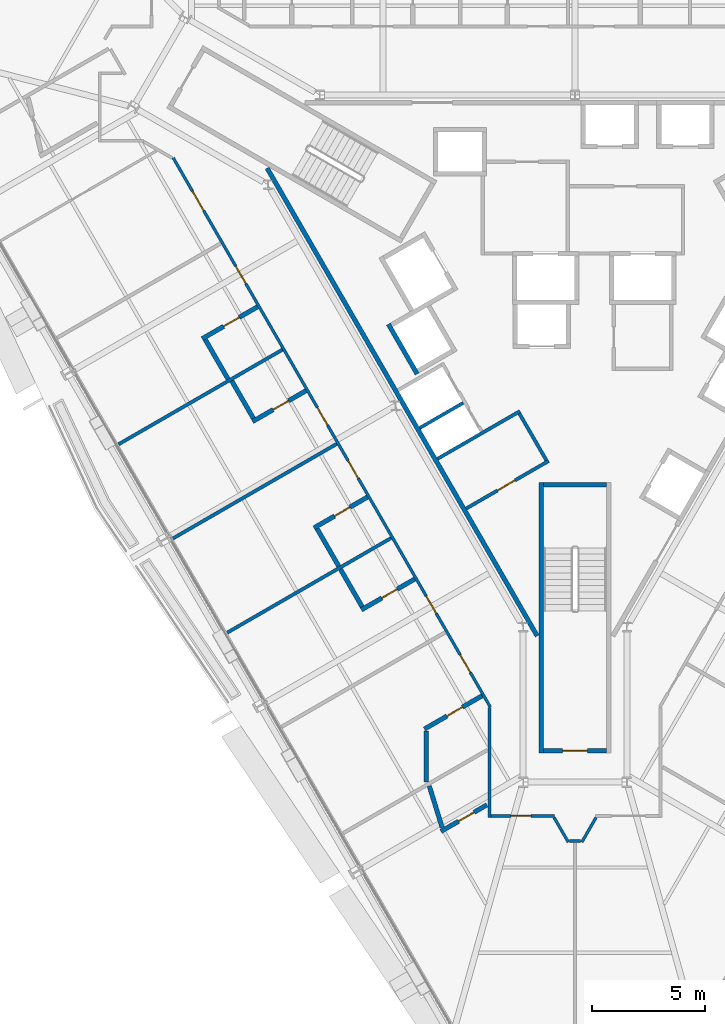
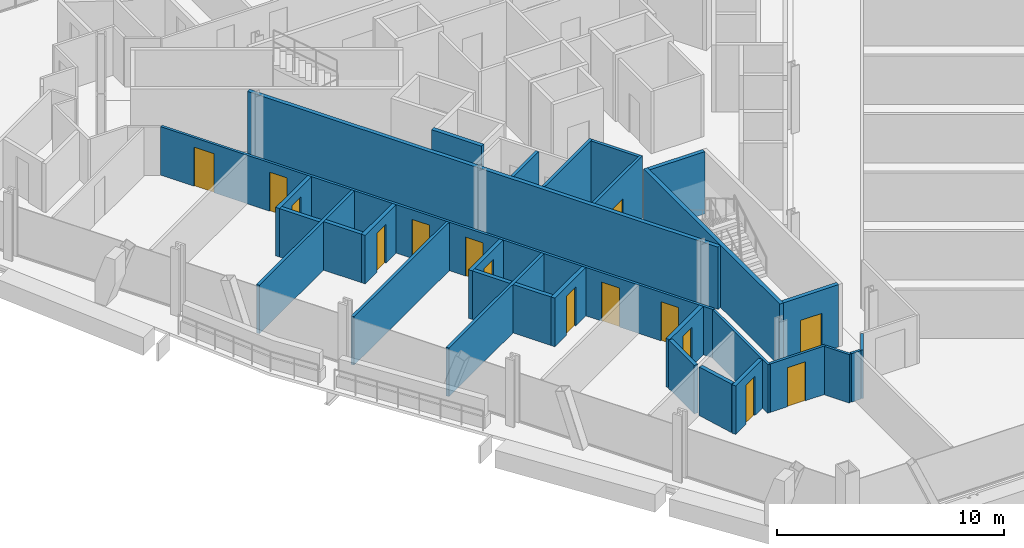
# One storey, part 11 of 17: 30 walls, 15 doors, 15 openings.
"""IFC4 building model written with IfcOpenShell, lengths in metres."""

from ifc_helpers import new_model, si_unit, direction, frame, frame_2d, origin, place, context, subcontext, project, spatial, rectangle, extrude, material, layer, layer_set, type_object, element, fill, save


model = new_model("IFC4")

# Units and contexts
model_context = context("Model", 3, precision=1e-05, world=origin(), true_north=direction((0.0, 1.0)))
body_context = subcontext(model_context, "Body", "Model", "MODEL_VIEW")
ifc_project = project(units=[si_unit("LENGTHUNIT", "METRE"), si_unit("AREAUNIT", "SQUARE_METRE"), si_unit("VOLUMEUNIT", "CUBIC_METRE"), si_unit("PLANEANGLEUNIT", "RADIAN"), si_unit("MASSUNIT", "GRAM", prefix="KILO")], contexts=[model_context])

# Site, building, storey
site_placement = place(None, origin())
site = spatial("IfcSite", under=ifc_project, at=site_placement, CompositionType="ELEMENT")
building_placement = place(site_placement, origin())
building = spatial("IfcBuilding", under=site, at=building_placement, Name="Verrane Prism Tower", CompositionType="ELEMENT")
storey_placement = place(building_placement, frame((0.0, 0.0, 51.199951171875)))
storey = spatial("IfcBuildingStorey", under=building, at=storey_placement, Name="L10", CompositionType="ELEMENT", Elevation=51.199951171875)

# Wall
ifc_material_1 = material(Name="Gypsum board partition", Category="other")
ifc_layer_1 = layer(ifc_material_1, 0.199951171875)
ifc_layer_set_1 = layer_set([ifc_layer_1], Name="CW-200 core boundary wall 2 h")
wall_type_1 = type_object("IfcWallType", Name="CW-200 core boundary wall 2 h", PredefinedType="PARTITIONING", material=ifc_layer_set_1)
wall_1_placement = place(storey_placement, frame((-13.66357421875, 5.946044921875, 0.0), z_axis=(0.0, 0.0, 1.0), x_axis=(0.499994327219, -0.866028678941, 0.0)))
element("IfcWall", 1, at=wall_1_placement, inside=storey, type_object=wall_type_1, Name="Core boundary wall CW3-001", PredefinedType="PARTITIONING", context=body_context, shape_type="SweptSolid", body=[
    extrude(rectangle(XDim=23.967529296875, YDim=0.199951171875, at=frame_2d((11.98388671875, 0.0))), origin(), (0.0, 0.0, 1.0), 3.35009765625),
])

# Wall, opening, door
ifc_material_2 = material(Name="Concrete C40/50", Category="concrete")
ifc_layer_2 = layer(ifc_material_2, 0.199951171875)
ifc_layer_set_2 = layer_set([ifc_layer_2], Name="CW-200 stair core wall concrete C40/50 3 h")
wall_type_2 = type_object("IfcWallType", Name="CW-200 stair core wall concrete C40/50 3 h", PredefinedType="PARTITIONING", material=ifc_layer_set_2)
wall_2_placement = place(storey_placement, frame((-1.39990234375, -19.89990234375, 0.0), z_axis=(0.0, 0.0, 1.0), x_axis=(1.0, 0.0, 0.0)))
wall_2 = element("IfcWall", 2, at=wall_2_placement, inside=storey, type_object=wall_type_2, Name="Stair 3 enclosure wall", PredefinedType="PARTITIONING", context=body_context, shape_type="SweptSolid", body=[
    extrude(rectangle(XDim=2.7998046875, YDim=0.199951171875, at=frame_2d((1.39990234375, 0.0))), origin(), (0.0, 0.0, 1.0), 3.35009765625),
])
opening_1_placement = place(wall_2_placement, frame((0.85009765625, 0.0, 0.0)))
opening_1 = element("IfcOpeningElement", 3, at=opening_1_placement, cuts=wall_2, Name="Opening D09502", PredefinedType="OPENING", context=body_context, shape_type="SweptSolid", body=[
    extrude(rectangle(XDim=1.10009765625, YDim=2.10009765625, at=frame_2d((0.550048828125, 1.050048828125))), frame((0.0, 0.10986328125, 0.0), z_axis=(0.0, -1.0, 0.0), x_axis=(1.0, 0.0, 0.0)), (0.0, 0.0, 1.0), 0.219970703125),
])
ifc_material_3 = material(Name="Timber veneered door leaf", Category="wood")
door_type_1 = type_object("IfcDoorType", Name="DR-1100x2100 FD90 single leaf stair", OperationType="NOTDEFINED", PredefinedType="DOOR", material=ifc_material_3)
door_1_placement = place(opening_1_placement, origin())
door_1 = element("IfcDoor", 4, at=door_1_placement, inside=storey, type_object=door_type_1, Name="Stair 3 door", OperationType="SINGLE_SWING_LEFT", OverallHeight=2.10009765625, OverallWidth=1.10009765625, PredefinedType="DOOR", context=body_context, shape_type="SweptSolid", body=[
    extrude(rectangle(XDim=1.10009765625, YDim=2.10009765625, at=frame_2d((0.550048828125, 1.050048828125))), frame((0.0, 0.02490234375, 0.0), z_axis=(0.0, -1.0, 0.0), x_axis=(1.0, 0.0, 0.0)), (0.0, 0.0, 1.0), 0.050048828125),
])
fill(opening_1, door_1)

# Walls
wall_3_placement = place(storey_placement, frame((-1.5, -8.0, 0.0), z_axis=(0.0, 0.0, 1.0), x_axis=(0.0, -1.0, 0.0)))
element("IfcWall", 5, at=wall_3_placement, inside=storey, type_object=wall_type_2, Name="Stair 3 enclosure wall", PredefinedType="PARTITIONING", context=body_context, shape_type="SweptSolid", body=[
    extrude(rectangle(XDim=12.0, YDim=0.199951171875, at=frame_2d((6.0, 0.0))), origin(), (0.0, 0.0, 1.0), 3.35009765625),
])
wall_4_placement = place(storey_placement, frame((-1.39990234375, -8.10009765625, 0.0), z_axis=(0.0, 0.0, 1.0), x_axis=(1.0, 0.0, 0.0)))
element("IfcWall", 6, at=wall_4_placement, inside=storey, type_object=wall_type_2, Name="Stair 3 enclosure wall", PredefinedType="PARTITIONING", context=body_context, shape_type="SweptSolid", body=[
    extrude(rectangle(XDim=2.7998046875, YDim=0.199951171875, at=frame_2d((1.39990234375, 0.0))), origin(), (0.0, 0.0, 1.0), 3.35009765625),
])
ifc_material_4 = material(Name="Gypsum board shaft wall assembly", Category="other")
ifc_layer_3 = layer(ifc_material_4, 0.199951171875)
ifc_layer_set_3 = layer_set([ifc_layer_3], Name="HW-200 lift shaft wall 2 h")
wall_type_3 = type_object("IfcWallType", Name="HW-200 lift shaft wall 2 h", PredefinedType="PARTITIONING", material=ifc_layer_set_3)
wall_5_placement = place(storey_placement, frame((-7.00634765625, -3.184814453125, 0.0), z_axis=(0.0, 0.0, 1.0), x_axis=(-0.499990435942, 0.866030925526, 0.0)))
element("IfcWall", 7, at=wall_5_placement, inside=storey, type_object=wall_type_3, Name="Lift shaft wall", PredefinedType="PARTITIONING", context=body_context, shape_type="SweptSolid", body=[
    extrude(rectangle(XDim=2.5498046875, YDim=0.199951171875, at=frame_2d((1.27490234375, 0.0))), origin(), (0.0, 0.0, 1.0), 3.60009765625),
])

# Wall, openings, doors
ifc_material_5 = material(Name="Gypsum board partition", Category="other")
ifc_layer_4 = layer(ifc_material_5, 0.125)
ifc_layer_set_4 = layer_set([ifc_layer_4], Name="PW-125 corridor wall 1 h")
wall_type_4 = type_object("IfcWallType", Name="PW-125 corridor wall 1 h", PredefinedType="PARTITIONING", material=ifc_layer_set_4)
wall_6_placement = place(storey_placement, frame((-3.765869140625, -17.959228515625, 0.0), z_axis=(0.0, 0.0, 1.0), x_axis=(-0.500002884005, 0.866023738697, 0.0)))
wall_6 = element("IfcWall", 8, at=wall_6_placement, inside=storey, type_object=wall_type_4, Name="Corridor wall 016", PredefinedType="PARTITIONING", context=body_context, shape_type="SweptSolid", body=[
    extrude(rectangle(XDim=28.134521484375, YDim=0.125, at=frame_2d((14.0673828125, 0.0))), origin(), (0.0, 0.0, 1.0), 2.613037109375),
])
opening_2_placement = place(wall_6_placement, frame((25.422119140625, 0.0, 0.0)))
opening_2 = element("IfcOpeningElement", 9, at=opening_2_placement, cuts=wall_6, Name="Opening D09026", PredefinedType="OPENING", context=body_context, shape_type="SweptSolid", body=[
    extrude(rectangle(XDim=1.0, YDim=2.10009765625, at=frame_2d((0.5, 1.050048828125))), frame((0.0, 0.072509765625, 0.0), z_axis=(0.0, -1.0, 0.0), x_axis=(1.0, 0.0, 0.0)), (0.0, 0.0, 1.0), 0.14501953125),
])
opening_3_placement = place(wall_6_placement, frame((21.693115234375, 0.0, 0.0)))
opening_3 = element("IfcOpeningElement", 10, at=opening_3_placement, cuts=wall_6, Name="Opening D09029", PredefinedType="OPENING", context=body_context, shape_type="SweptSolid", body=[
    extrude(rectangle(XDim=0.89990234375, YDim=2.10009765625, at=frame_2d((0.449951171875, 1.050048828125))), frame((0.0, 0.072509765625, 0.0), z_axis=(0.0, -1.0, 0.0), x_axis=(1.0, 0.0, 0.0)), (0.0, 0.0, 1.0), 0.14501953125),
])
opening_4_placement = place(wall_6_placement, frame((14.438232421875, 0.0, 0.0)))
opening_4 = element("IfcOpeningElement", 11, at=opening_4_placement, cuts=wall_6, Name="Opening D09031", PredefinedType="OPENING", context=body_context, shape_type="SweptSolid", body=[
    extrude(rectangle(XDim=0.89990234375, YDim=2.10009765625, at=frame_2d((0.449951171875, 1.050048828125))), frame((0.0, 0.072509765625, 0.0), z_axis=(0.0, -1.0, 0.0), x_axis=(1.0, 0.0, 0.0)), (0.0, 0.0, 1.0), 0.14501953125),
])
opening_5_placement = place(wall_6_placement, frame((11.712158203125, 0.0, 0.0)))
opening_5 = element("IfcOpeningElement", 12, at=opening_5_placement, cuts=wall_6, Name="Opening D09033", PredefinedType="OPENING", context=body_context, shape_type="SweptSolid", body=[
    extrude(rectangle(XDim=0.89990234375, YDim=2.10009765625, at=frame_2d((0.449951171875, 1.050048828125))), frame((0.0, 0.072509765625, 0.0), z_axis=(0.0, -1.0, 0.0), x_axis=(1.0, 0.0, 0.0)), (0.0, 0.0, 1.0), 0.14501953125),
])
opening_6_placement = place(wall_6_placement, frame((4.787109375, 0.0, 0.0)))
opening_6 = element("IfcOpeningElement", 13, at=opening_6_placement, cuts=wall_6, Name="Opening D09035", PredefinedType="OPENING", context=body_context, shape_type="SweptSolid", body=[
    extrude(rectangle(XDim=0.89990234375, YDim=2.10009765625, at=frame_2d((0.449951171875, 1.050048828125))), frame((0.0, 0.072509765625, 0.0), z_axis=(0.0, -1.0, 0.0), x_axis=(1.0, 0.0, 0.0)), (0.0, 0.0, 1.0), 0.14501953125),
])
opening_7_placement = place(wall_6_placement, frame((1.76220703125, 0.0, 0.0)))
opening_7 = element("IfcOpeningElement", 14, at=opening_7_placement, cuts=wall_6, Name="Opening D09037", PredefinedType="OPENING", context=body_context, shape_type="SweptSolid", body=[
    extrude(rectangle(XDim=0.89990234375, YDim=2.10009765625, at=frame_2d((0.449951171875, 1.050048828125))), frame((0.0, 0.072509765625, 0.0), z_axis=(0.0, -1.0, 0.0), x_axis=(1.0, 0.0, 0.0)), (0.0, 0.0, 1.0), 0.14501953125),
])
ifc_material_6 = material(Name="Timber veneered door leaf", Category="wood")
door_type_2 = type_object("IfcDoorType", Name="DR-1000x2100 FD20 single leaf unit", OperationType="NOTDEFINED", PredefinedType="DOOR", material=ifc_material_6)
door_2_placement = place(opening_2_placement, origin())
door_2 = element("IfcDoor", 15, at=door_2_placement, inside=storey, type_object=door_type_2, Name="Suite Living Room door", OperationType="SINGLE_SWING_LEFT", OverallHeight=2.10009765625, OverallWidth=1.0, PredefinedType="DOOR", context=body_context, shape_type="SweptSolid", body=[
    extrude(rectangle(XDim=1.0, YDim=2.10009765625, at=frame_2d((0.5, 1.050048828125))), frame((0.0, 0.02490234375, 0.0), z_axis=(0.0, -1.0, 0.0), x_axis=(1.0, 0.0, 0.0)), (0.0, 0.0, 1.0), 0.050048828125),
])
fill(opening_2, door_2)
ifc_material_7 = material(Name="Timber veneered door leaf", Category="wood")
door_type_3 = type_object("IfcDoorType", Name="DR-900x2100 FD20 single leaf unit", OperationType="NOTDEFINED", PredefinedType="DOOR", material=ifc_material_7)
door_3_placement = place(opening_3_placement, origin())
door_3 = element("IfcDoor", 16, at=door_3_placement, inside=storey, type_object=door_type_3, Name="Guest Room door", OperationType="SINGLE_SWING_RIGHT", OverallHeight=2.10009765625, OverallWidth=0.89990234375, PredefinedType="DOOR", context=body_context, shape_type="SweptSolid", body=[
    extrude(rectangle(XDim=0.89990234375, YDim=2.10009765625, at=frame_2d((0.449951171875, 1.050048828125))), frame((0.0, 0.02490234375, 0.0), z_axis=(0.0, -1.0, 0.0), x_axis=(1.0, 0.0, 0.0)), (0.0, 0.0, 1.0), 0.050048828125),
])
fill(opening_3, door_3)
door_4_placement = place(opening_4_placement, origin())
door_4 = element("IfcDoor", 17, at=door_4_placement, inside=storey, type_object=door_type_3, Name="Guest Room door", OperationType="SINGLE_SWING_RIGHT", OverallHeight=2.10009765625, OverallWidth=0.89990234375, PredefinedType="DOOR", context=body_context, shape_type="SweptSolid", body=[
    extrude(rectangle(XDim=0.89990234375, YDim=2.10009765625, at=frame_2d((0.449951171875, 1.050048828125))), frame((0.0, 0.02490234375, 0.0), z_axis=(0.0, -1.0, 0.0), x_axis=(1.0, 0.0, 0.0)), (0.0, 0.0, 1.0), 0.050048828125),
])
fill(opening_4, door_4)
door_5_placement = place(opening_5_placement, origin())
door_5 = element("IfcDoor", 18, at=door_5_placement, inside=storey, type_object=door_type_3, Name="Guest Room door", OperationType="SINGLE_SWING_RIGHT", OverallHeight=2.10009765625, OverallWidth=0.89990234375, PredefinedType="DOOR", context=body_context, shape_type="SweptSolid", body=[
    extrude(rectangle(XDim=0.89990234375, YDim=2.10009765625, at=frame_2d((0.449951171875, 1.050048828125))), frame((0.0, 0.02490234375, 0.0), z_axis=(0.0, -1.0, 0.0), x_axis=(1.0, 0.0, 0.0)), (0.0, 0.0, 1.0), 0.050048828125),
])
fill(opening_5, door_5)
door_6_placement = place(opening_6_placement, origin())
door_6 = element("IfcDoor", 19, at=door_6_placement, inside=storey, type_object=door_type_3, Name="Guest Room door", OperationType="SINGLE_SWING_RIGHT", OverallHeight=2.10009765625, OverallWidth=0.89990234375, PredefinedType="DOOR", context=body_context, shape_type="SweptSolid", body=[
    extrude(rectangle(XDim=0.89990234375, YDim=2.10009765625, at=frame_2d((0.449951171875, 1.050048828125))), frame((0.0, 0.02490234375, 0.0), z_axis=(0.0, -1.0, 0.0), x_axis=(1.0, 0.0, 0.0)), (0.0, 0.0, 1.0), 0.050048828125),
])
fill(opening_6, door_6)
door_7_placement = place(opening_7_placement, origin())
door_7 = element("IfcDoor", 20, at=door_7_placement, inside=storey, type_object=door_type_3, Name="Guest Room door", OperationType="SINGLE_SWING_RIGHT", OverallHeight=2.10009765625, OverallWidth=0.89990234375, PredefinedType="DOOR", context=body_context, shape_type="SweptSolid", body=[
    extrude(rectangle(XDim=0.89990234375, YDim=2.10009765625, at=frame_2d((0.449951171875, 1.050048828125))), frame((0.0, 0.02490234375, 0.0), z_axis=(0.0, -1.0, 0.0), x_axis=(1.0, 0.0, 0.0)), (0.0, 0.0, 1.0), 0.050048828125),
])
fill(opening_7, door_7)

# Wall
wall_7_placement = place(storey_placement, frame((-3.797119140625, -22.859619140625, 0.0), z_axis=(0.0, 0.0, 1.0), x_axis=(0.0, 1.0, 0.0)))
element("IfcWall", 21, at=wall_7_placement, inside=storey, type_object=wall_type_4, Name="Corridor wall 046", PredefinedType="PARTITIONING", context=body_context, shape_type="SweptSolid", body=[
    extrude(rectangle(XDim=4.86962890625, YDim=0.125, at=frame_2d((2.434814453125, 0.0))), origin(), (0.0, 0.0, 1.0), 2.613037109375),
])

# Wall, opening, door
wall_8_placement = place(storey_placement, frame((-0.910400390625, -22.797119140625, 0.0), z_axis=(0.0, 0.0, 1.0), x_axis=(-1.0, 0.0, 0.0)))
wall_8 = element("IfcWall", 22, at=wall_8_placement, inside=storey, type_object=wall_type_4, Name="Corridor wall 047", PredefinedType="PARTITIONING", context=body_context, shape_type="SweptSolid", body=[
    extrude(rectangle(XDim=2.821533203125, YDim=0.125, at=frame_2d((1.41064453125, 0.0))), origin(), (0.0, 0.0, 1.0), 2.613037109375),
])
opening_8_placement = place(wall_8_placement, frame((1.03662109375, 0.0, 0.0)))
opening_8 = element("IfcOpeningElement", 23, at=opening_8_placement, cuts=wall_8, Name="Opening D09039", PredefinedType="OPENING", context=body_context, shape_type="SweptSolid", body=[
    extrude(rectangle(XDim=0.89990234375, YDim=2.10009765625, at=frame_2d((0.449951171875, 1.050048828125))), frame((0.0, 0.072509765625, 0.0), z_axis=(0.0, -1.0, 0.0), x_axis=(1.0, 0.0, 0.0)), (0.0, 0.0, 1.0), 0.14501953125),
])
door_8_placement = place(opening_8_placement, origin())
door_8 = element("IfcDoor", 24, at=door_8_placement, inside=storey, type_object=door_type_3, Name="Corner Suite door", OperationType="SINGLE_SWING_RIGHT", OverallHeight=2.10009765625, OverallWidth=0.89990234375, PredefinedType="DOOR", context=body_context, shape_type="SweptSolid", body=[
    extrude(rectangle(XDim=0.89990234375, YDim=2.10009765625, at=frame_2d((0.449951171875, 1.050048828125))), frame((0.0, 0.02490234375, 0.0), z_axis=(0.0, -1.0, 0.0), x_axis=(1.0, 0.0, 0.0)), (0.0, 0.0, 1.0), 0.050048828125),
])
fill(opening_8, door_8)

# Walls
wall_9_placement = place(storey_placement, frame((-0.930419921875, -22.87060546875, 0.0), z_axis=(0.0, 0.0, 1.0), x_axis=(0.500242104966, -0.865885579288, 0.0)))
element("IfcWall", 25, at=wall_9_placement, inside=storey, type_object=wall_type_4, Name="Corridor wall 049", PredefinedType="PARTITIONING", context=body_context, shape_type="SweptSolid", body=[
    extrude(rectangle(XDim=1.260498046875, YDim=0.125, at=frame_2d((0.63037109375, 0.0))), origin(), (0.0, 0.0, 1.0), 2.613037109375),
])
wall_10_placement = place(storey_placement, frame((-0.24609375, -23.907958984375, 0.0), z_axis=(0.0, 0.0, 1.0), x_axis=(1.0, 0.0, 0.0)))
element("IfcWall", 26, at=wall_10_placement, inside=storey, type_object=wall_type_4, Name="Corridor wall 050", PredefinedType="PARTITIONING", context=body_context, shape_type="SweptSolid", body=[
    extrude(rectangle(XDim=0.4921875, YDim=0.125, at=frame_2d((0.24609375, 0.0))), origin(), (0.0, 0.0, 1.0), 2.613037109375),
])
wall_11_placement = place(storey_placement, frame((0.2998046875, -23.962158203125, 0.0), z_axis=(0.0, 0.0, 1.0), x_axis=(0.500242104966, 0.865885579288, 0.0)))
element("IfcWall", 27, at=wall_11_placement, inside=storey, type_object=wall_type_4, Name="Corridor wall 053", PredefinedType="PARTITIONING", context=body_context, shape_type="SweptSolid", body=[
    extrude(rectangle(XDim=1.260498046875, YDim=0.125, at=frame_2d((0.63037109375, 0.0))), origin(), (0.0, 0.0, 1.0), 2.613037109375),
])
ifc_material_8 = material(Name="Gypsum board partition", Category="other")
ifc_layer_5 = layer(ifc_material_8, 0.14990234375)
ifc_layer_set_5 = layer_set([ifc_layer_5], Name="PW-150 demising wall 1 h")
wall_type_5 = type_object("IfcWallType", Name="PW-150 demising wall 1 h", PredefinedType="PARTITIONING", material=ifc_layer_set_5)
for number, where, z_axis, x_axis, name in (
    (28, (-20.25634765625, -6.3046875, 0.0), (0.0, 0.0, 1.0), (0.866037818403, 0.499978496633, 0.0), "Demising wall 012"),
    (29, (-17.843505859375, -10.48388671875, 0.0), (0.0, 0.0, 1.0), (0.866037818403, 0.499978496633, 0.0), "Demising wall 017"),
):
    element("IfcWall", number, at=place(storey_placement, frame(where, z_axis=z_axis, x_axis=x_axis)), inside=storey, type_object=wall_type_5, Name=name, PredefinedType="PARTITIONING", context=body_context, shape_type="SweptSolid", body=[
        extrude(rectangle(XDim=8.391357421875, YDim=0.14990234375, at=frame_2d((4.19580078125, 0.0))), origin(), (0.0, 0.0, 1.0), 2.613037109375),
    ])
wall_12_placement = place(storey_placement, frame((-15.4306640625, -14.6630859375, 0.0), z_axis=(0.0, 0.0, 1.0), x_axis=(0.866027553047, 0.499996277349, 0.0)))
element("IfcWall", 30, at=wall_12_placement, inside=storey, type_object=wall_type_5, Name="Demising wall 024", PredefinedType="PARTITIONING", context=body_context, shape_type="SweptSolid", body=[
    extrude(rectangle(XDim=8.38671875, YDim=0.14990234375, at=frame_2d((4.193359375, 0.0))), origin(), (0.0, 0.0, 1.0), 2.613037109375),
])
ifc_material_9 = material(Name="Gypsum board partition", Category="other")
ifc_layer_6 = layer(ifc_material_9, 0.199951171875)
ifc_layer_set_6 = layer_set([ifc_layer_6], Name="PW-200 plumbing wall")
wall_type_6 = type_object("IfcWallType", Name="PW-200 plumbing wall", PredefinedType="PARTITIONING", material=ifc_layer_set_6)
wall_13_placement = place(storey_placement, frame((-16.409912109375, -1.65869140625, 0.0), z_axis=(0.0, 0.0, 1.0), x_axis=(0.49983374806, -0.866121368112, 0.0)))
element("IfcWall", 31, at=wall_13_placement, inside=storey, type_object=wall_type_6, Name="Plumbing wall 020", PredefinedType="PARTITIONING", context=body_context, shape_type="SweptSolid", body=[
    extrude(rectangle(XDim=2.025634765625, YDim=0.199951171875, at=frame_2d((1.0126953125, 0.0))), origin(), (0.0, 0.0, 1.0), 2.613037109375),
])

# Wall, opening, door
wall_14_placement = place(storey_placement, frame((-14.093505859375, -0.205810546875, 0.0), z_axis=(0.0, 0.0, 1.0), x_axis=(-0.866033446572, -0.499986069224, 0.0)))
wall_14 = element("IfcWall", 32, at=wall_14_placement, inside=storey, type_object=wall_type_6, Name="Plumbing wall 021", PredefinedType="PARTITIONING", context=body_context, shape_type="SweptSolid", body=[
    extrude(rectangle(XDim=2.83251953125, YDim=0.199951171875, at=frame_2d((1.416259765625, 0.0))), origin(), (0.0, 0.0, 1.0), 2.613037109375),
])
opening_9_placement = place(wall_14_placement, frame((0.9326171875, 0.0, 0.0)))
opening_9 = element("IfcOpeningElement", 33, at=opening_9_placement, cuts=wall_14, Name="Opening D09030", PredefinedType="OPENING", context=body_context, shape_type="SweptSolid", body=[
    extrude(rectangle(XDim=0.800048828125, YDim=2.10009765625, at=frame_2d((0.39990234375, 1.050048828125))), frame((0.0, 0.10986328125, 0.0), z_axis=(0.0, -1.0, 0.0), x_axis=(1.0, 0.0, 0.0)), (0.0, 0.0, 1.0), 0.219970703125),
])
ifc_material_10 = material(Name="Timber veneered door leaf", Category="wood")
door_type_4 = type_object("IfcDoorType", Name="DR-800x2100 single leaf bath", OperationType="NOTDEFINED", PredefinedType="DOOR", material=ifc_material_10)
door_9_placement = place(opening_9_placement, origin())
door_9 = element("IfcDoor", 34, at=door_9_placement, inside=storey, type_object=door_type_4, Name="En-Suite door", OperationType="SINGLE_SWING_LEFT", OverallHeight=2.10009765625, OverallWidth=0.800048828125, PredefinedType="DOOR", context=body_context, shape_type="SweptSolid", body=[
    extrude(rectangle(XDim=0.800048828125, YDim=2.10009765625, at=frame_2d((0.39990234375, 1.050048828125))), frame((0.0, 0.02490234375, 0.0), z_axis=(0.0, -1.0, 0.0), x_axis=(1.0, 0.0, 0.0)), (0.0, 0.0, 1.0), 0.050048828125),
])
fill(opening_9, door_9)

# Wall
wall_15_placement = place(storey_placement, frame((-15.235595703125, -3.492919921875, 0.0), z_axis=(0.0, 0.0, 1.0), x_axis=(0.500190942922, -0.865915134767, 0.0)))
element("IfcWall", 35, at=wall_15_placement, inside=storey, type_object=wall_type_6, Name="Plumbing wall 025", PredefinedType="PARTITIONING", context=body_context, shape_type="SweptSolid", body=[
    extrude(rectangle(XDim=1.924560546875, YDim=0.199951171875, at=frame_2d((0.96240234375, 0.0))), origin(), (0.0, 0.0, 1.0), 2.613037109375),
])

# Wall, opening, door
wall_16_placement = place(storey_placement, frame((-14.3095703125, -5.2958984375, 0.0), z_axis=(0.0, 0.0, 1.0), x_axis=(0.866012976267, 0.500021524473, 0.0)))
wall_16 = element("IfcWall", 36, at=wall_16_placement, inside=storey, type_object=wall_type_6, Name="Plumbing wall 029", PredefinedType="PARTITIONING", context=body_context, shape_type="SweptSolid", body=[
    extrude(rectangle(XDim=2.732421875, YDim=0.199951171875, at=frame_2d((1.3662109375, 0.0))), origin(), (0.0, 0.0, 1.0), 2.613037109375),
])
opening_10_placement = place(wall_16_placement, frame((1.050048828125, 0.0, 0.0)))
opening_10 = element("IfcOpeningElement", 37, at=opening_10_placement, cuts=wall_16, Name="Opening D09032", PredefinedType="OPENING", context=body_context, shape_type="SweptSolid", body=[
    extrude(rectangle(XDim=0.800048828125, YDim=2.10009765625, at=frame_2d((0.39990234375, 1.050048828125))), frame((0.0, 0.10986328125, 0.0), z_axis=(0.0, -1.0, 0.0), x_axis=(1.0, 0.0, 0.0)), (0.0, 0.0, 1.0), 0.219970703125),
])
door_10_placement = place(opening_10_placement, origin())
door_10 = element("IfcDoor", 38, at=door_10_placement, inside=storey, type_object=door_type_4, Name="En-Suite door", OperationType="SINGLE_SWING_RIGHT", OverallHeight=2.10009765625, OverallWidth=0.800048828125, PredefinedType="DOOR", context=body_context, shape_type="SweptSolid", body=[
    extrude(rectangle(XDim=0.800048828125, YDim=2.10009765625, at=frame_2d((0.39990234375, 1.050048828125))), frame((0.0, 0.02490234375, 0.0), z_axis=(0.0, -1.0, 0.0), x_axis=(1.0, 0.0, 0.0)), (0.0, 0.0, 1.0), 0.050048828125),
])
fill(opening_10, door_10)

# Wall
wall_17_placement = place(storey_placement, frame((-11.447998046875, -10.053466796875, 0.0), z_axis=(0.0, 0.0, 1.0), x_axis=(0.500214044309, -0.865901789971, 0.0)))
element("IfcWall", 39, at=wall_17_placement, inside=storey, type_object=wall_type_6, Name="Plumbing wall 032", PredefinedType="PARTITIONING", context=body_context, shape_type="SweptSolid", body=[
    extrude(rectangle(XDim=1.920166015625, YDim=0.199951171875, at=frame_2d((0.9599609375, 0.0))), origin(), (0.0, 0.0, 1.0), 2.613037109375),
])

# Wall, opening, door
wall_18_placement = place(storey_placement, frame((-9.217529296875, -8.650634765625, 0.0), z_axis=(0.0, 0.0, 1.0), x_axis=(-0.866063622699, -0.499933797055, 0.0)))
wall_18 = element("IfcWall", 40, at=wall_18_placement, inside=storey, type_object=wall_type_6, Name="Plumbing wall 033", PredefinedType="PARTITIONING", context=body_context, shape_type="SweptSolid", body=[
    extrude(rectangle(XDim=2.733154296875, YDim=0.199951171875, at=frame_2d((1.36669921875, 0.0))), origin(), (0.0, 0.0, 1.0), 2.613037109375),
])
opening_11_placement = place(wall_18_placement, frame((0.883056640625, 0.0, 0.0)))
opening_11 = element("IfcOpeningElement", 41, at=opening_11_placement, cuts=wall_18, Name="Opening D09034", PredefinedType="OPENING", context=body_context, shape_type="SweptSolid", body=[
    extrude(rectangle(XDim=0.800048828125, YDim=2.10009765625, at=frame_2d((0.39990234375, 1.050048828125))), frame((0.0, 0.10986328125, 0.0), z_axis=(0.0, -1.0, 0.0), x_axis=(1.0, 0.0, 0.0)), (0.0, 0.0, 1.0), 0.219970703125),
])
door_11_placement = place(opening_11_placement, origin())
door_11 = element("IfcDoor", 42, at=door_11_placement, inside=storey, type_object=door_type_4, Name="En-Suite door", OperationType="SINGLE_SWING_LEFT", OverallHeight=2.10009765625, OverallWidth=0.800048828125, PredefinedType="DOOR", context=body_context, shape_type="SweptSolid", body=[
    extrude(rectangle(XDim=0.800048828125, YDim=2.10009765625, at=frame_2d((0.39990234375, 1.050048828125))), frame((0.0, 0.02490234375, 0.0), z_axis=(0.0, -1.0, 0.0), x_axis=(1.0, 0.0, 0.0)), (0.0, 0.0, 1.0), 0.050048828125),
])
fill(opening_11, door_11)

# Wall
wall_19_placement = place(storey_placement, frame((-10.407470703125, -11.85498046875, 0.0), z_axis=(0.0, 0.0, 1.0), x_axis=(0.499887618105, -0.86609027778, 0.0)))
element("IfcWall", 43, at=wall_19_placement, inside=storey, type_object=wall_type_6, Name="Plumbing wall 034", PredefinedType="PARTITIONING", context=body_context, shape_type="SweptSolid", body=[
    extrude(rectangle(XDim=1.91943359375, YDim=0.199951171875, at=frame_2d((0.959716796875, 0.0))), origin(), (0.0, 0.0, 1.0), 2.613037109375),
])

# Wall, opening, door
wall_20_placement = place(storey_placement, frame((-9.484619140625, -13.654052734375, 0.0), z_axis=(0.0, 0.0, 1.0), x_axis=(0.866102295869, 0.499866795347, 0.0)))
wall_20 = element("IfcWall", 44, at=wall_20_placement, inside=storey, type_object=wall_type_6, Name="Plumbing wall 037", PredefinedType="PARTITIONING", context=body_context, shape_type="SweptSolid", body=[
    extrude(rectangle(XDim=2.733154296875, YDim=0.199951171875, at=frame_2d((1.36669921875, 0.0))), origin(), (0.0, 0.0, 1.0), 2.613037109375),
])
opening_12_placement = place(wall_20_placement, frame((1.050048828125, 0.0, 0.0)))
opening_12 = element("IfcOpeningElement", 45, at=opening_12_placement, cuts=wall_20, Name="Opening D09036", PredefinedType="OPENING", context=body_context, shape_type="SweptSolid", body=[
    extrude(rectangle(XDim=0.800048828125, YDim=2.10009765625, at=frame_2d((0.39990234375, 1.050048828125))), frame((0.0, 0.10986328125, 0.0), z_axis=(0.0, -1.0, 0.0), x_axis=(1.0, 0.0, 0.0)), (0.0, 0.0, 1.0), 0.219970703125),
])
door_12_placement = place(opening_12_placement, origin())
door_12 = element("IfcDoor", 46, at=door_12_placement, inside=storey, type_object=door_type_4, Name="En-Suite door", OperationType="SINGLE_SWING_RIGHT", OverallHeight=2.10009765625, OverallWidth=0.800048828125, PredefinedType="DOOR", context=body_context, shape_type="SweptSolid", body=[
    extrude(rectangle(XDim=0.800048828125, YDim=2.10009765625, at=frame_2d((0.39990234375, 1.050048828125))), frame((0.0, 0.02490234375, 0.0), z_axis=(0.0, -1.0, 0.0), x_axis=(1.0, 0.0, 0.0)), (0.0, 0.0, 1.0), 0.050048828125),
])
fill(opening_12, door_12)

# Wall
wall_21_placement = place(storey_placement, frame((-6.596923828125, -21.28955078125, 0.0), z_axis=(0.0, 0.0, 1.0), x_axis=(0.0, 1.0, 0.0)))
element("IfcWall", 47, at=wall_21_placement, inside=storey, type_object=wall_type_6, Name="Plumbing wall 040", PredefinedType="PARTITIONING", context=body_context, shape_type="SweptSolid", body=[
    extrude(rectangle(XDim=2.261474609375, YDim=0.199951171875, at=frame_2d((1.130859375, 0.0))), origin(), (0.0, 0.0, 1.0), 2.613037109375),
])

# Wall, opening, door
wall_22_placement = place(storey_placement, frame((-4.123046875, -17.46533203125, 0.0), z_axis=(0.0, 0.0, 1.0), x_axis=(-0.866141586746, -0.499798711192, 0.0)))
wall_22 = element("IfcWall", 48, at=wall_22_placement, inside=storey, type_object=wall_type_6, Name="Plumbing wall 041", PredefinedType="PARTITIONING", context=body_context, shape_type="SweptSolid", body=[
    extrude(rectangle(XDim=2.956298828125, YDim=0.199951171875, at=frame_2d((1.47802734375, 0.0))), origin(), (0.0, 0.0, 1.0), 2.613037109375),
])
opening_13_placement = place(wall_22_placement, frame((1.00634765625, 0.0, 0.0)))
opening_13 = element("IfcOpeningElement", 49, at=opening_13_placement, cuts=wall_22, Name="Opening D09038", PredefinedType="OPENING", context=body_context, shape_type="SweptSolid", body=[
    extrude(rectangle(XDim=0.800048828125, YDim=2.10009765625, at=frame_2d((0.39990234375, 1.050048828125))), frame((0.0, 0.10986328125, 0.0), z_axis=(0.0, -1.0, 0.0), x_axis=(1.0, 0.0, 0.0)), (0.0, 0.0, 1.0), 0.219970703125),
])
door_13_placement = place(opening_13_placement, origin())
door_13 = element("IfcDoor", 50, at=door_13_placement, inside=storey, type_object=door_type_4, Name="En-Suite door", OperationType="SINGLE_SWING_LEFT", OverallHeight=2.10009765625, OverallWidth=0.800048828125, PredefinedType="DOOR", context=body_context, shape_type="SweptSolid", body=[
    extrude(rectangle(XDim=0.800048828125, YDim=2.10009765625, at=frame_2d((0.39990234375, 1.050048828125))), frame((0.0, 0.02490234375, 0.0), z_axis=(0.0, -1.0, 0.0), x_axis=(1.0, 0.0, 0.0)), (0.0, 0.0, 1.0), 0.050048828125),
])
fill(opening_13, door_13)

# Wall
wall_23_placement = place(storey_placement, frame((-6.467529296875, -21.47119140625, 0.0), z_axis=(0.0, 0.0, 1.0), x_axis=(0.295232763086, -0.955425358466, 0.0)))
element("IfcWall", 51, at=wall_23_placement, inside=storey, type_object=wall_type_6, Name="Plumbing wall 042", PredefinedType="PARTITIONING", context=body_context, shape_type="SweptSolid", body=[
    extrude(rectangle(XDim=1.92919921875, YDim=0.199951171875, at=frame_2d((0.964599609375, 0.0))), origin(), (0.0, 0.0, 1.0), 2.613037109375),
])

# Wall, opening, door
wall_24_placement = place(storey_placement, frame((-5.947509765625, -23.484130859375, 0.0), z_axis=(0.0, 0.0, 1.0), x_axis=(0.865922980112, 0.500177361057, 0.0)))
wall_24 = element("IfcWall", 52, at=wall_24_placement, inside=storey, type_object=wall_type_6, Name="Plumbing wall 043", PredefinedType="PARTITIONING", context=body_context, shape_type="SweptSolid", body=[
    extrude(rectangle(XDim=2.353759765625, YDim=0.199951171875, at=frame_2d((1.1767578125, 0.0))), origin(), (0.0, 0.0, 1.0), 2.613037109375),
])
opening_14_placement = place(wall_24_placement, frame((0.89990234375, 0.0, 0.0)))
opening_14 = element("IfcOpeningElement", 53, at=opening_14_placement, cuts=wall_24, Name="Opening D09040", PredefinedType="OPENING", context=body_context, shape_type="SweptSolid", body=[
    extrude(rectangle(XDim=0.800048828125, YDim=2.10009765625, at=frame_2d((0.39990234375, 1.050048828125))), frame((0.0, 0.10986328125, 0.0), z_axis=(0.0, -1.0, 0.0), x_axis=(1.0, 0.0, 0.0)), (0.0, 0.0, 1.0), 0.219970703125),
])
door_14_placement = place(opening_14_placement, origin())
door_14 = element("IfcDoor", 54, at=door_14_placement, inside=storey, type_object=door_type_4, Name="En-Suite door", OperationType="SINGLE_SWING_RIGHT", OverallHeight=2.10009765625, OverallWidth=0.800048828125, PredefinedType="DOOR", context=body_context, shape_type="SweptSolid", body=[
    extrude(rectangle(XDim=0.800048828125, YDim=2.10009765625, at=frame_2d((0.39990234375, 1.050048828125))), frame((0.0, 0.02490234375, 0.0), z_axis=(0.0, -1.0, 0.0), x_axis=(1.0, 0.0, 0.0)), (0.0, 0.0, 1.0), 0.050048828125),
])
fill(opening_14, door_14)

# Walls
ifc_material_11 = material(Name="Gypsum board partition", Category="other")
ifc_layer_7 = layer(ifc_material_11, 0.14990234375)
ifc_layer_set_7 = layer_set([ifc_layer_7], Name="RS-150 riser enclosure wall 1 h")
wall_type_7 = type_object("IfcWallType", Name="RS-150 riser enclosure wall 1 h", PredefinedType="PARTITIONING", material=ifc_layer_set_7)
wall_25_placement = place(storey_placement, frame((-6.892333984375, -5.58203125, 0.0), z_axis=(0.0, 0.0, 1.0), x_axis=(0.865944298464, 0.500140452231, 0.0)))
element("IfcWall", 55, at=wall_25_placement, inside=storey, type_object=wall_type_7, Name="Riser wall RS3-002", PredefinedType="PARTITIONING", context=body_context, shape_type="SweptSolid", body=[
    extrude(rectangle(XDim=2.224365234375, YDim=0.14990234375, at=frame_2d((1.1123046875, 0.0))), origin(), (0.0, 0.0, 1.0), 3.35009765625),
])
wall_26_placement = place(storey_placement, frame((-6.10009765625, -6.945556640625, 0.0), z_axis=(0.0, 0.0, 1.0), x_axis=(0.866038200431, 0.499977834903, 0.0)))
element("IfcWall", 56, at=wall_26_placement, inside=storey, type_object=wall_type_7, Name="Riser wall RS3-003", PredefinedType="PARTITIONING", context=body_context, shape_type="SweptSolid", body=[
    extrude(rectangle(XDim=4.220458984375, YDim=0.14990234375, at=frame_2d((2.1103515625, 0.0))), origin(), (0.0, 0.0, 1.0), 3.35009765625),
])

# Wall, opening, door
wall_27_placement = place(storey_placement, frame((-4.824951171875, -9.153564453125, 0.0), z_axis=(0.0, 0.0, 1.0), x_axis=(0.866023738697, 0.500002884005, 0.0)))
wall_27 = element("IfcWall", 57, at=wall_27_placement, inside=storey, type_object=wall_type_7, Name="Riser wall RS3-005", PredefinedType="PARTITIONING", context=body_context, shape_type="SweptSolid", body=[
    extrude(rectangle(XDim=4.22021484375, YDim=0.14990234375, at=frame_2d((2.110107421875, 0.0))), origin(), (0.0, 0.0, 1.0), 3.35009765625),
])
opening_15_placement = place(wall_27_placement, frame((1.594970703125, 0.0, 0.0)))
opening_15 = element("IfcOpeningElement", 58, at=opening_15_placement, cuts=wall_27, Name="Opening D09514", PredefinedType="OPENING", context=body_context, shape_type="SweptSolid", body=[
    extrude(rectangle(XDim=0.89990234375, YDim=2.10009765625, at=frame_2d((0.449951171875, 1.050048828125))), frame((0.0, 0.0849609375, 0.0), z_axis=(0.0, -1.0, 0.0), x_axis=(1.0, 0.0, 0.0)), (0.0, 0.0, 1.0), 0.169921875),
])
ifc_material_12 = material(Name="Timber veneered door leaf", Category="wood")
door_type_5 = type_object("IfcDoorType", Name="DR-900x2100 FD20 single leaf store", OperationType="NOTDEFINED", PredefinedType="DOOR", material=ifc_material_12)
door_15_placement = place(opening_15_placement, origin())
door_15 = element("IfcDoor", 59, at=door_15_placement, inside=storey, type_object=door_type_5, Name="Room door D09514", OperationType="SINGLE_SWING_LEFT", OverallHeight=2.10009765625, OverallWidth=0.89990234375, PredefinedType="DOOR", context=body_context, shape_type="SweptSolid", body=[
    extrude(rectangle(XDim=0.89990234375, YDim=2.10009765625, at=frame_2d((0.449951171875, 1.050048828125))), frame((0.0, 0.02490234375, 0.0), z_axis=(0.0, -1.0, 0.0), x_axis=(1.0, 0.0, 0.0)), (0.0, 0.0, 1.0), 0.050048828125),
])
fill(opening_15, door_15)

# Wall
wall_28_placement = place(storey_placement, frame((-2.472412109375, -4.93798828125, 0.0), z_axis=(0.0, 0.0, 1.0), x_axis=(0.500045362686, -0.865999212041, 0.0)))
element("IfcWall", 60, at=wall_28_placement, inside=storey, type_object=wall_type_7, Name="Riser wall RS3-006", PredefinedType="PARTITIONING", context=body_context, shape_type="SweptSolid", body=[
    extrude(rectangle(XDim=2.399658203125, YDim=0.14990234375, at=frame_2d((1.19970703125, 0.0))), origin(), (0.0, 0.0, 1.0), 3.35009765625),
])

save(model, "model.ifc")
